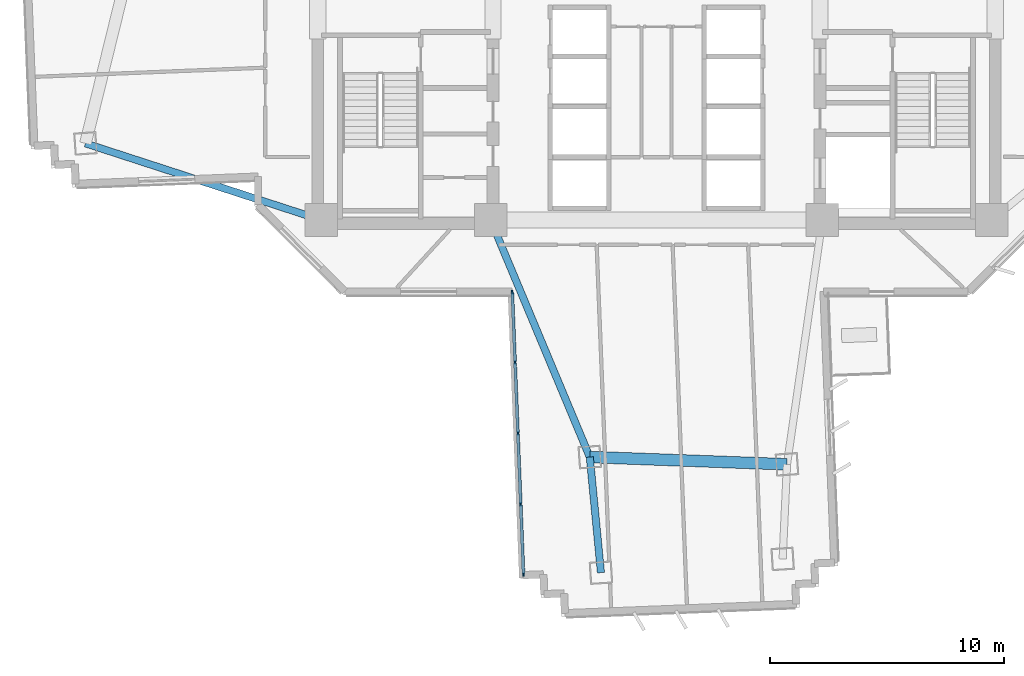
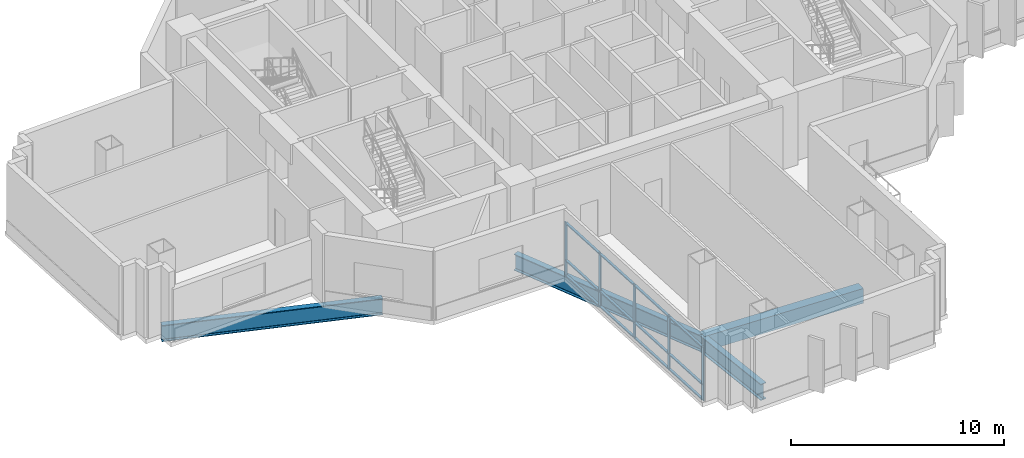
# One storey, part 2 of 16: 17 members, 4 beams, 1 element without a shape of its own.
"""IFC4 building model written with IfcOpenShell, lengths in metres."""

import ifcopenshell
import ifcopenshell.guid

model = None  # the IFC model being written
_history = None  # IfcOwnerHistory: only IFC2X3 demands one
_inside = {}  # id of a spatial element -> (the spatial element, [elements in it])
_under = {}  # id of a project, library or spatial element -> (it, [spatial elements below it])
_declared = {}  # id of a project -> (the project, [libraries it declares])
_typed = {}  # id of a type object -> (the type object, [elements of that type])
_made_of = {}  # id of a material, layer set ... -> (it, [elements and type objects made of it])


def new_model(schema):
    """Start an empty IFC model of exactly this schema.

    Asked for "IFC4X3", IfcOpenShell would pick the latest addendum, in which some entities
    have other attributes; the version numbers below select the first issue.
    IFC2X3 requires an IfcOwnerHistory on every rooted entity: one is made here for all.
    """
    global model, _history
    if schema == "IFC4X3":
        model = ifcopenshell.file(schema_version=(4, 3, 0, 0))
    else:
        model = ifcopenshell.file(schema=schema)
    _inside.clear()
    _under.clear()
    _declared.clear()
    _typed.clear()
    _made_of.clear()
    _history = None
    if model.schema == "IFC2X3":
        org = make("IfcOrganization", Name="unknown")
        user = make(
            "IfcPersonAndOrganization",
            ThePerson=make("IfcPerson", FamilyName="unknown"),
            TheOrganization=org,
        )
        app = make(
            "IfcApplication",
            ApplicationDeveloper=org,
            Version="unknown",
            ApplicationFullName="unknown",
            ApplicationIdentifier="unknown",
        )
        _history = make(
            "IfcOwnerHistory",
            OwningUser=user,
            OwningApplication=app,
            ChangeAction="ADDED",
            CreationDate=0,
        )
    return model


def make(cls, **values):
    """One entity of the class cls with the attributes given. An attribute that is None is left unset."""
    return model.create_entity(
        cls, **{name: value for name, value in values.items() if value is not None}
    )


def rooted(cls, **values):
    """An entity with a GlobalId (a new one), such as an element, a storey or a relation."""
    return make(cls, GlobalId=ifcopenshell.guid.new(), OwnerHistory=_history, **values)


def si_unit(unit_type, name, prefix=None):
    """IfcSIUnit, for example si_unit("LENGTHUNIT", "METRE", prefix="MILLI")."""
    return make("IfcSIUnit", UnitType=unit_type, Prefix=prefix, Name=name)


def assignment(units):
    """IfcUnitAssignment: the units of a project."""
    return None if units is None else make("IfcUnitAssignment", Units=units)


def point(xyz):
    """IfcCartesianPoint."""
    return None if xyz is None else make("IfcCartesianPoint", Coordinates=xyz)


def direction(xyz):
    """IfcDirection."""
    return None if xyz is None else make("IfcDirection", DirectionRatios=xyz)


def frame(location, z_axis=None, x_axis=None):
    """IfcAxis2Placement3D, a coordinate frame: its origin and axes. An axis left out is left unset."""
    return make(
        "IfcAxis2Placement3D",
        Location=point(location),
        Axis=direction(z_axis),
        RefDirection=direction(x_axis),
    )


def frame_2d(location, x_axis=None):
    """IfcAxis2Placement2D, a coordinate frame in the plane: its origin and x axis."""
    return make(
        "IfcAxis2Placement2D", Location=point(location), RefDirection=direction(x_axis)
    )


def origin():
    """The frame at (0, 0, 0) with its axes left unset."""
    return frame((0.0, 0.0, 0.0))


def origin_2d():
    """The frame at (0, 0) in the plane with its x axis left unset."""
    return frame_2d((0.0, 0.0))


def place(relative_to, where):
    """IfcLocalPlacement: puts the frame where relative to a parent placement (None: the world)."""
    return make(
        "IfcLocalPlacement", PlacementRelTo=relative_to, RelativePlacement=where
    )


def context(
    kind, dimensions, precision=None, world=None, true_north=None, identifier=None
):
    """IfcGeometricRepresentationContext, for example the 3D "Model" context."""
    return make(
        "IfcGeometricRepresentationContext",
        ContextIdentifier=identifier,
        ContextType=kind,
        CoordinateSpaceDimension=dimensions,
        Precision=precision,
        WorldCoordinateSystem=world,
        TrueNorth=true_north,
    )


def subcontext(parent, identifier, kind, view, scale=None):
    """IfcGeometricRepresentationSubContext, for example "Body" below "Model"."""
    return make(
        "IfcGeometricRepresentationSubContext",
        ContextIdentifier=identifier,
        ContextType=kind,
        ParentContext=parent,
        TargetScale=scale,
        TargetView=view,
    )


def project(units=None, contexts=None):
    """IfcProject with its units and contexts."""
    return rooted(
        "IfcProject",
        Name="project",
        RepresentationContexts=contexts,
        UnitsInContext=assignment(units),
    )


def spatial(cls, under=None, at=None, **own):
    """A site, building, storey or space (cls), placed at a placement, below another one or the project."""
    s = rooted(cls, ObjectPlacement=at, **own)
    if under is not None:
        _under.setdefault(under.id(), (under, []))[1].append(s)
    return s


def profile(cls, at=None, kind="AREA", **sizes):
    """A parametric profile (cls). Its sizes go by their IFC names, for example OverallWidth=200.0."""
    return make(cls, ProfileType=kind, Position=at, **sizes)


def rectangle(**sizes):
    """IfcRectangleProfileDef."""
    return profile("IfcRectangleProfileDef", **sizes)


def i_section(**sizes):
    """IfcIShapeProfileDef."""
    return profile("IfcIShapeProfileDef", **sizes)


def extrude(swept, where, along, depth):
    """IfcExtrudedAreaSolid: the profile swept, set in the frame where, extruded along a direction by depth."""
    return make(
        "IfcExtrudedAreaSolid",
        SweptArea=swept,
        Position=where,
        ExtrudedDirection=direction(along),
        Depth=depth,
    )


def shape(context_of_items, identifier, shape_type, items):
    """IfcShapeRepresentation: the items that make up one representation, for example the "Body"."""
    return make(
        "IfcShapeRepresentation",
        ContextOfItems=context_of_items,
        RepresentationIdentifier=identifier,
        RepresentationType=shape_type,
        Items=items,
    )


def source(mapping_origin, context_of_items, identifier, shape_type, items):
    """IfcRepresentationMap: a shape defined once, which mapped items show again and again."""
    return make(
        "IfcRepresentationMap",
        MappingOrigin=mapping_origin,
        MappedRepresentation=shape(context_of_items, identifier, shape_type, items),
    )


def transform(
    local_origin,
    x_axis=None,
    y_axis=None,
    z_axis=None,
    scale=None,
    scale2=None,
    scale3=None,
    uniform=True,
):
    """IfcCartesianTransformationOperator3D, or its non-uniform kind. x_axis, y_axis, z_axis: its Axis1, 2, 3."""
    if uniform:
        return make(
            "IfcCartesianTransformationOperator3D",
            Axis1=direction(x_axis),
            Axis2=direction(y_axis),
            LocalOrigin=point(local_origin),
            Scale=scale,
            Axis3=direction(z_axis),
        )
    return make(
        "IfcCartesianTransformationOperator3DnonUniform",
        Axis1=direction(x_axis),
        Axis2=direction(y_axis),
        LocalOrigin=point(local_origin),
        Scale=scale,
        Axis3=direction(z_axis),
        Scale2=scale2,
        Scale3=scale3,
    )


def mapped(mapping_source, mapping_target):
    """IfcMappedItem: shows the shape of a source again, moved by a transform."""
    return make(
        "IfcMappedItem", MappingSource=mapping_source, MappingTarget=mapping_target
    )


def material(Name=None, Category=None):
    """IfcMaterial."""
    return make("IfcMaterial", Name=Name, Category=Category)


def layer(
    of_material, thickness, ventilated=None, Name=None, Category=None, Priority=None
):
    """IfcMaterialLayer: one layer of a wall or slab, of a material (None: an air gap)."""
    return make(
        "IfcMaterialLayer",
        Material=of_material,
        LayerThickness=thickness,
        IsVentilated=ventilated,
        Name=Name,
        Category=Category,
        Priority=Priority,
    )


def layer_set(layers, Name=None):
    """IfcMaterialLayerSet."""
    return make("IfcMaterialLayerSet", MaterialLayers=layers, LayerSetName=Name)


def material_profile(
    of_material, cross_section, Name=None, Category=None, Priority=None
):
    """IfcMaterialProfile: a cross section and its material."""
    return make(
        "IfcMaterialProfile",
        Name=Name,
        Material=of_material,
        Profile=cross_section,
        Priority=Priority,
        Category=Category,
    )


def profile_set(profiles, Name=None, composite=None):
    """IfcMaterialProfileSet."""
    return make(
        "IfcMaterialProfileSet",
        Name=Name,
        MaterialProfiles=profiles,
        CompositeProfile=composite,
    )


def made_of(thing, what):
    """Note that an element or type object is made of a material, layer set ...; save() writes the relation."""
    if what is not None:
        _made_of.setdefault(what.id(), (what, []))[1].append(thing)
    return thing


def type_object(cls, material=None, **own):
    """A type object (cls), such as IfcWallType, which elements share."""
    return made_of(rooted(cls, **own), material)


def element(
    cls,
    number,
    at=None,
    inside=None,
    cuts=None,
    type_object=None,
    material=None,
    context=None,
    identifier="Body",
    shape_type=None,
    held_by="IfcProductDefinitionShape",
    body=None,
    shapes=None,
    **own,
):
    """One element of the class cls, such as IfcWall. Its Tag is "e" and its number.

    at: its placement. inside: the storey or other place that contains it. cuts: it is an
    opening in that element (IfcRelVoidsElement). A single representation is given by context,
    identifier, shape_type and body (its items); several are given by shapes. held_by: the class
    of the entity that holds the representations. save() writes the other relations.
    """
    e = rooted(cls, Tag="e%d" % number, ObjectPlacement=at, **own)
    if body is not None:
        shapes = [shape(context, identifier, shape_type, body)]
    if shapes is not None:
        e.Representation = make(held_by, Representations=shapes)
    if inside is not None:
        _inside.setdefault(inside.id(), (inside, []))[1].append(e)
    if cuts is not None:
        rooted(
            "IfcRelVoidsElement", RelatingBuildingElement=cuts, RelatedOpeningElement=e
        )
    if type_object is not None:
        _typed.setdefault(type_object.id(), (type_object, []))[1].append(e)
    return made_of(e, material)


def aggregate(whole, parts):
    """IfcRelAggregates: a whole, such as a stair, and the parts it consists of."""
    return rooted("IfcRelAggregates", RelatingObject=whole, RelatedObjects=parts)


def save(model, path):
    """Write the relations noted so far, then the file.

    IfcRelAggregates (storeys below a building ...), IfcRelContainedInSpatialStructure (elements
    in a storey), IfcRelDefinesByType, IfcRelAssociatesMaterial and IfcRelDeclares: one each for
    every whole, place, type object, material and project.
    """
    for whole, parts in _under.values():
        aggregate(whole, parts)
    for where, things in _inside.values():
        rooted(
            "IfcRelContainedInSpatialStructure",
            RelatedElements=things,
            RelatingStructure=where,
        )
    for kind, things in _typed.values():
        rooted("IfcRelDefinesByType", RelatedObjects=things, RelatingType=kind)
    for what, things in _made_of.values():
        rooted("IfcRelAssociatesMaterial", RelatedObjects=things, RelatingMaterial=what)
    for by, libraries in _declared.values():
        rooted("IfcRelDeclares", RelatingContext=by, RelatedDefinitions=libraries)
    model.write(path)


model = new_model("IFC4")

# Units and contexts
model_context = context("Model", 3, precision=1e-05, world=origin(), true_north=direction((0.0, 1.0)))
body_context = subcontext(model_context, "Body", "Model", "MODEL_VIEW")
ifc_project = project(units=[si_unit("LENGTHUNIT", "METRE"), si_unit("AREAUNIT", "SQUARE_METRE"), si_unit("VOLUMEUNIT", "CUBIC_METRE"), si_unit("PLANEANGLEUNIT", "RADIAN"), si_unit("MASSUNIT", "GRAM", prefix="KILO")], contexts=[model_context])

# Site, building, storey
site_placement = place(None, origin())
site = spatial("IfcSite", under=ifc_project, at=site_placement, CompositionType="ELEMENT")
building_placement = place(site_placement, origin())
building = spatial("IfcBuilding", under=site, at=building_placement, Name="Zahravan Cultural Tower", CompositionType="ELEMENT")
storey_placement = place(building_placement, frame((0.0, 0.0, 58.5)))
storey = spatial("IfcBuildingStorey", under=building, at=storey_placement, Name="L12", CompositionType="ELEMENT", Elevation=58.5)

# Beams
ifc_material_1 = material(Name="Steel ASTM A992 Grade 50", Category="steel")
ifc_material_profile_1 = material_profile(ifc_material_1, i_section(OverallWidth=0.30908203125, OverallDepth=0.931884765625, WebThickness=0.02099609375, FlangeThickness=0.034423828125, FilletRadius=0.02392578125, at=origin_2d()), Name="W36X210")
ifc_profile_set_1 = profile_set([ifc_material_profile_1], Name="Steel ASTM A992 Grade 50")
beam_type_1 = type_object("IfcBeamType", Name="BM-G-W36X210", PredefinedType="BEAM", material=ifc_profile_set_1)
shared_shape_1 = source(origin(), body_context, "Body", "SweptSolid", [
    extrude(i_section(OverallWidth=0.30908203125, OverallDepth=0.931884765625, WebThickness=0.02099609375, FlangeThickness=0.034423828125, FilletRadius=0.02392578125, at=origin_2d()), origin(), (0.0, 0.0, 1.0), 10.615966796875),
])
beam_1_placement = place(storey_placement, frame((21.64990234375, 17.800048828125, -0.716064453125), z_axis=(-0.951063640083, 0.30899506875, 0.0), x_axis=(-0.30899506875, -0.951063640083, 0.0)))
element("IfcBeam", 1, at=beam_1_placement, inside=storey, type_object=beam_type_1, Name="L12 Beam BG-L12-07", PredefinedType="BEAM", context=body_context, shape_type="MappedRepresentation", body=[
    mapped(shared_shape_1, transform((0.0, 0.0, 0.0), x_axis=(1.0, 0.0, 0.0), y_axis=(0.0, 1.0, 0.0), z_axis=(0.0, 0.0, 1.0), scale=1.0)),
])
shared_shape_2 = source(origin(), body_context, "Body", "SweptSolid", [
    extrude(i_section(OverallWidth=0.30908203125, OverallDepth=0.931884765625, WebThickness=0.02099609375, FlangeThickness=0.034423828125, FilletRadius=0.02392578125, at=origin_2d()), origin(), (0.0, 0.0, 1.0), 10.997802734375),
])
beam_2_placement = place(storey_placement, frame((28.89990234375, 17.800048828125, -0.716064453125), z_axis=(0.385775211449, -0.922592806297, 0.0), x_axis=(0.922592806297, 0.385775211449, 0.0)))
element("IfcBeam", 2, at=beam_2_placement, inside=storey, type_object=beam_type_1, Name="L12 Beam BG-L12-08", PredefinedType="BEAM", context=body_context, shape_type="MappedRepresentation", body=[
    mapped(shared_shape_2, transform((0.0, 0.0, 0.0), x_axis=(1.0, 0.0, 0.0), y_axis=(0.0, 1.0, 0.0), z_axis=(0.0, 0.0, 1.0), scale=1.0)),
])
shared_shape_3 = source(origin(), body_context, "Body", "SweptSolid", [
    extrude(i_section(OverallWidth=0.30908203125, OverallDepth=0.931884765625, WebThickness=0.02099609375, FlangeThickness=0.034423828125, FilletRadius=0.02392578125, at=origin_2d()), origin(), (0.0, 0.0, 1.0), 4.973876953125),
])
beam_3_placement = place(storey_placement, frame((33.142578125, 7.653564453125, -0.716064453125), z_axis=(0.096154779131, -0.995366394073, 0.0), x_axis=(0.995366394073, 0.096154779131, 0.0)))
element("IfcBeam", 3, at=beam_3_placement, inside=storey, type_object=beam_type_1, Name="L12 Beam BG-L12-17", PredefinedType="BEAM", context=body_context, shape_type="MappedRepresentation", body=[
    mapped(shared_shape_3, transform((0.0, 0.0, 0.0), x_axis=(1.0, 0.0, 0.0), y_axis=(0.0, 1.0, 0.0), z_axis=(0.0, 0.0, 1.0), scale=1.0)),
])
ifc_material_2 = material(Name="Concrete C50/60", Category="concrete")
ifc_material_profile_2 = material_profile(ifc_material_2, rectangle(XDim=0.5, YDim=0.85009765625, at=origin_2d()), Name="RC500X850")
ifc_profile_set_2 = profile_set([ifc_material_profile_2], Name="Concrete C50/60")
beam_type_2 = type_object("IfcBeamType", Name="BM-SP-RC500X850", PredefinedType="SPANDREL", material=ifc_profile_set_2)
shared_shape_4 = source(origin(), body_context, "Body", "SweptSolid", [
    extrude(rectangle(XDim=0.5, YDim=0.85009765625, at=origin_2d()), origin(), (0.0, 0.0, 1.0), 8.4482421875),
])
beam_4_placement = place(storey_placement, frame((33.142578125, 7.653564453125, -0.675048828125), z_axis=(0.999318826256, -0.036903705643, 0.0), x_axis=(0.036903705643, 0.999318826256, 0.0)))
element("IfcBeam", 4, at=beam_4_placement, inside=storey, type_object=beam_type_2, Name="L12 Beam SP-L12-19", PredefinedType="SPANDREL", context=body_context, shape_type="MappedRepresentation", body=[
    mapped(shared_shape_4, transform((0.0, 0.0, 0.0), x_axis=(1.0, 0.0, 0.0), y_axis=(0.0, 1.0, 0.0), z_axis=(0.0, 0.0, 1.0), scale=1.0)),
])

# Curtain wall, members
ifc_material_3 = material(Name="Anodised bronze-aluminium mullion", Category="aluminium")
ifc_layer = layer(ifc_material_3, 0.1650390625)
ifc_layer_set = layer_set([ifc_layer], Name="Anodised bronze-aluminium mullion")
curtain_wall_type = type_object("IfcCurtainWallType", Name="CW-SYS-4", PredefinedType="USERDEFINED", material=ifc_layer_set)
curtain_wall_placement = place(storey_placement, origin())
curtain_wall = element("IfcCurtainWall", 5, at=curtain_wall_placement, inside=storey, type_object=curtain_wall_type, Name="L12 Recessed Curtain Wall CW-4.1", ObjectType="RECESSED GLAZING", PredefinedType="USERDEFINED")
ifc_material_profile_3 = material_profile(ifc_material_3, rectangle(XDim=0.06494140625, YDim=0.1650390625, at=origin_2d()), Name="AL-M65X165")
ifc_profile_set_3 = profile_set([ifc_material_profile_3], Name="Anodised bronze-aluminium mullion")
member_type_1 = type_object("IfcMemberType", Name="CWM-CW-4", PredefinedType="MULLION", material=ifc_profile_set_3)
shared_shape_5 = source(origin(), body_context, "Body", "SweptSolid", [
    extrude(rectangle(XDim=0.06494140625, YDim=0.1650390625, at=origin_2d()), origin(), (0.0, 0.0, 1.0), 3.070068359375),
])
member_1_placement = place(storey_placement, frame((30.30517578125, 2.626708984375, 0.0), z_axis=(0.0, 0.0, 1.0), x_axis=(-0.99920827504, -0.039784709273, 0.0)))
member_1 = element("IfcMember", 6, at=member_1_placement, type_object=member_type_1, Name="CW-4 mullion 1", PredefinedType="MULLION", context=body_context, shape_type="MappedRepresentation", body=[
    mapped(shared_shape_5, transform((0.0, 0.0, 0.0), x_axis=(1.0, 0.0, 0.0), y_axis=(0.0, 1.0, 0.0), z_axis=(0.0, 0.0, 1.0), scale=1.0)),
])
member_2_placement = place(storey_placement, frame((30.185546875, 5.630615234375, 0.0), z_axis=(0.0, 0.0, 1.0), x_axis=(-0.99920827504, -0.039784709273, 0.0)))
member_2 = element("IfcMember", 7, at=member_2_placement, type_object=member_type_1, Name="CW-4 mullion 2", PredefinedType="MULLION", context=body_context, shape_type="MappedRepresentation", body=[
    mapped(shared_shape_5, transform((0.0, 0.0, 0.0), x_axis=(1.0, 0.0, 0.0), y_axis=(0.0, 1.0, 0.0), z_axis=(0.0, 0.0, 1.0), scale=1.0)),
])
member_3_placement = place(storey_placement, frame((30.064697265625, 8.6669921875, 0.0), z_axis=(0.0, 0.0, 1.0), x_axis=(-0.99920827504, -0.039784709273, 0.0)))
member_3 = element("IfcMember", 8, at=member_3_placement, type_object=member_type_1, Name="CW-4 mullion 3", PredefinedType="MULLION", context=body_context, shape_type="MappedRepresentation", body=[
    mapped(shared_shape_5, transform((0.0, 0.0, 0.0), x_axis=(1.0, 0.0, 0.0), y_axis=(0.0, 1.0, 0.0), z_axis=(0.0, 0.0, 1.0), scale=1.0)),
])
member_4_placement = place(storey_placement, frame((29.943603515625, 11.70361328125, 0.0), z_axis=(0.0, 0.0, 1.0), x_axis=(-0.99920827504, -0.039784709273, 0.0)))
member_4 = element("IfcMember", 9, at=member_4_placement, type_object=member_type_1, Name="CW-4 mullion 4", PredefinedType="MULLION", context=body_context, shape_type="MappedRepresentation", body=[
    mapped(shared_shape_5, transform((0.0, 0.0, 0.0), x_axis=(1.0, 0.0, 0.0), y_axis=(0.0, 1.0, 0.0), z_axis=(0.0, 0.0, 1.0), scale=1.0)),
])
member_5_placement = place(storey_placement, frame((29.823974609375, 14.70751953125, 0.0), z_axis=(0.0, 0.0, 1.0), x_axis=(-0.99920827504, -0.039784709273, 0.0)))
member_5 = element("IfcMember", 10, at=member_5_placement, type_object=member_type_1, Name="CW-4 mullion 5", PredefinedType="MULLION", context=body_context, shape_type="MappedRepresentation", body=[
    mapped(shared_shape_5, transform((0.0, 0.0, 0.0), x_axis=(1.0, 0.0, 0.0), y_axis=(0.0, 1.0, 0.0), z_axis=(0.0, 0.0, 1.0), scale=1.0)),
])
ifc_material_profile_4 = material_profile(ifc_material_3, rectangle(XDim=0.1298828125, YDim=0.06494140625, at=origin_2d()), Name="AL-T65X130")
ifc_profile_set_4 = profile_set([ifc_material_profile_4], Name="Anodised bronze-aluminium mullion")
member_type_2 = type_object("IfcMemberType", Name="CWT-CW-4", PredefinedType="USERDEFINED", material=ifc_profile_set_4)
shared_shape_6 = source(origin(), body_context, "Body", "SweptSolid", [
    extrude(rectangle(XDim=0.1298828125, YDim=0.06494140625, at=origin_2d()), origin(), (0.0, 0.0, 1.0), 2.94140625),
])
member_6_placement = place(storey_placement, frame((30.3037109375, 2.6591796875, 0.032470703125), z_axis=(-0.039759200041, 0.999209290395, 0.0), x_axis=(-0.999209290395, -0.039759200041, 0.0)))
member_6 = element("IfcMember", 11, at=member_6_placement, type_object=member_type_2, Name="CW-4 transom 1.1", ObjectType="TRANSOM", PredefinedType="USERDEFINED", context=body_context, shape_type="MappedRepresentation", body=[
    mapped(shared_shape_6, transform((0.0, 0.0, 0.0), x_axis=(1.0, 0.0, 0.0), y_axis=(0.0, 1.0, 0.0), z_axis=(0.0, 0.0, 1.0), scale=1.0)),
])
member_7_placement = place(storey_placement, frame((30.3037109375, 2.6591796875, 0.89990234375), z_axis=(-0.039759200041, 0.999209290395, 0.0), x_axis=(-0.999209290395, -0.039759200041, 0.0)))
member_7 = element("IfcMember", 12, at=member_7_placement, type_object=member_type_2, Name="CW-4 transom 1.2", ObjectType="TRANSOM", PredefinedType="USERDEFINED", context=body_context, shape_type="MappedRepresentation", body=[
    mapped(shared_shape_6, transform((0.0, 0.0, 0.0), x_axis=(1.0, 0.0, 0.0), y_axis=(0.0, 1.0, 0.0), z_axis=(0.0, 0.0, 1.0), scale=1.0)),
])
member_8_placement = place(storey_placement, frame((30.3037109375, 2.6591796875, 3.03759765625), z_axis=(-0.039759200041, 0.999209290395, 0.0), x_axis=(-0.999209290395, -0.039759200041, 0.0)))
member_8 = element("IfcMember", 13, at=member_8_placement, type_object=member_type_2, Name="CW-4 transom 1.3", ObjectType="TRANSOM", PredefinedType="USERDEFINED", context=body_context, shape_type="MappedRepresentation", body=[
    mapped(shared_shape_6, transform((0.0, 0.0, 0.0), x_axis=(1.0, 0.0, 0.0), y_axis=(0.0, 1.0, 0.0), z_axis=(0.0, 0.0, 1.0), scale=1.0)),
])
member_9_placement = place(storey_placement, frame((29.9423828125, 11.736083984375, 0.032470703125), z_axis=(-0.039759200041, 0.999209290395, 0.0), x_axis=(-0.999209290395, -0.039759200041, 0.0)))
member_9 = element("IfcMember", 14, at=member_9_placement, type_object=member_type_2, Name="CW-4 transom 4.1", ObjectType="TRANSOM", PredefinedType="USERDEFINED", context=body_context, shape_type="MappedRepresentation", body=[
    mapped(shared_shape_6, transform((0.0, 0.0, 0.0), x_axis=(1.0, 0.0, 0.0), y_axis=(0.0, 1.0, 0.0), z_axis=(0.0, 0.0, 1.0), scale=1.0)),
])
member_10_placement = place(storey_placement, frame((29.9423828125, 11.736083984375, 0.89990234375), z_axis=(-0.039759200041, 0.999209290395, 0.0), x_axis=(-0.999209290395, -0.039759200041, 0.0)))
member_10 = element("IfcMember", 15, at=member_10_placement, type_object=member_type_2, Name="CW-4 transom 4.2", ObjectType="TRANSOM", PredefinedType="USERDEFINED", context=body_context, shape_type="MappedRepresentation", body=[
    mapped(shared_shape_6, transform((0.0, 0.0, 0.0), x_axis=(1.0, 0.0, 0.0), y_axis=(0.0, 1.0, 0.0), z_axis=(0.0, 0.0, 1.0), scale=1.0)),
])
member_11_placement = place(storey_placement, frame((29.9423828125, 11.736083984375, 3.03759765625), z_axis=(-0.039759200041, 0.999209290395, 0.0), x_axis=(-0.999209290395, -0.039759200041, 0.0)))
member_11 = element("IfcMember", 16, at=member_11_placement, type_object=member_type_2, Name="CW-4 transom 4.3", ObjectType="TRANSOM", PredefinedType="USERDEFINED", context=body_context, shape_type="MappedRepresentation", body=[
    mapped(shared_shape_6, transform((0.0, 0.0, 0.0), x_axis=(1.0, 0.0, 0.0), y_axis=(0.0, 1.0, 0.0), z_axis=(0.0, 0.0, 1.0), scale=1.0)),
])
shared_shape_7 = source(origin(), body_context, "Body", "SweptSolid", [
    extrude(rectangle(XDim=0.1298828125, YDim=0.06494140625, at=origin_2d()), origin(), (0.0, 0.0, 1.0), 2.973876953125),
])
member_12_placement = place(storey_placement, frame((30.184326171875, 5.6630859375, 0.032470703125), z_axis=(-0.039817220058, 0.999206980053, 0.0), x_axis=(-0.999206980053, -0.039817220058, 0.0)))
member_12 = element("IfcMember", 17, at=member_12_placement, type_object=member_type_2, Name="CW-4 transom 2.1", ObjectType="TRANSOM", PredefinedType="USERDEFINED", context=body_context, shape_type="MappedRepresentation", body=[
    mapped(shared_shape_7, transform((0.0, 0.0, 0.0), x_axis=(1.0, 0.0, 0.0), y_axis=(0.0, 1.0, 0.0), z_axis=(0.0, 0.0, 1.0), scale=1.0)),
])
member_13_placement = place(storey_placement, frame((30.184326171875, 5.6630859375, 0.89990234375), z_axis=(-0.039817220058, 0.999206980053, 0.0), x_axis=(-0.999206980053, -0.039817220058, 0.0)))
member_13 = element("IfcMember", 18, at=member_13_placement, type_object=member_type_2, Name="CW-4 transom 2.2", ObjectType="TRANSOM", PredefinedType="USERDEFINED", context=body_context, shape_type="MappedRepresentation", body=[
    mapped(shared_shape_7, transform((0.0, 0.0, 0.0), x_axis=(1.0, 0.0, 0.0), y_axis=(0.0, 1.0, 0.0), z_axis=(0.0, 0.0, 1.0), scale=1.0)),
])
member_14_placement = place(storey_placement, frame((30.184326171875, 5.6630859375, 3.03759765625), z_axis=(-0.039817220058, 0.999206980053, 0.0), x_axis=(-0.999206980053, -0.039817220058, 0.0)))
member_14 = element("IfcMember", 19, at=member_14_placement, type_object=member_type_2, Name="CW-4 transom 2.3", ObjectType="TRANSOM", PredefinedType="USERDEFINED", context=body_context, shape_type="MappedRepresentation", body=[
    mapped(shared_shape_7, transform((0.0, 0.0, 0.0), x_axis=(1.0, 0.0, 0.0), y_axis=(0.0, 1.0, 0.0), z_axis=(0.0, 0.0, 1.0), scale=1.0)),
])
shared_shape_8 = source(origin(), body_context, "Body", "SweptSolid", [
    extrude(rectangle(XDim=0.1298828125, YDim=0.06494140625, at=origin_2d()), origin(), (0.0, 0.0, 1.0), 2.97412109375),
])
member_15_placement = place(storey_placement, frame((30.063232421875, 8.699462890625, 0.032470703125), z_axis=(-0.039731993127, 0.999210372605, 0.0), x_axis=(-0.999210372605, -0.039731993127, 0.0)))
member_15 = element("IfcMember", 20, at=member_15_placement, type_object=member_type_2, Name="CW-4 transom 3.1", ObjectType="TRANSOM", PredefinedType="USERDEFINED", context=body_context, shape_type="MappedRepresentation", body=[
    mapped(shared_shape_8, transform((0.0, 0.0, 0.0), x_axis=(1.0, 0.0, 0.0), y_axis=(0.0, 1.0, 0.0), z_axis=(0.0, 0.0, 1.0), scale=1.0)),
])
member_16_placement = place(storey_placement, frame((30.063232421875, 8.699462890625, 0.89990234375), z_axis=(-0.039731993127, 0.999210372605, 0.0), x_axis=(-0.999210372605, -0.039731993127, 0.0)))
member_16 = element("IfcMember", 21, at=member_16_placement, type_object=member_type_2, Name="CW-4 transom 3.2", ObjectType="TRANSOM", PredefinedType="USERDEFINED", context=body_context, shape_type="MappedRepresentation", body=[
    mapped(shared_shape_8, transform((0.0, 0.0, 0.0), x_axis=(1.0, 0.0, 0.0), y_axis=(0.0, 1.0, 0.0), z_axis=(0.0, 0.0, 1.0), scale=1.0)),
])
member_17_placement = place(storey_placement, frame((30.063232421875, 8.699462890625, 3.03759765625), z_axis=(-0.039731993127, 0.999210372605, 0.0), x_axis=(-0.999210372605, -0.039731993127, 0.0)))
member_17 = element("IfcMember", 22, at=member_17_placement, type_object=member_type_2, Name="CW-4 transom 3.3", ObjectType="TRANSOM", PredefinedType="USERDEFINED", context=body_context, shape_type="MappedRepresentation", body=[
    mapped(shared_shape_8, transform((0.0, 0.0, 0.0), x_axis=(1.0, 0.0, 0.0), y_axis=(0.0, 1.0, 0.0), z_axis=(0.0, 0.0, 1.0), scale=1.0)),
])
aggregate(curtain_wall, [member_1, member_2, member_3, member_4, member_5, member_6, member_7, member_8, member_12, member_13, member_14, member_15, member_16, member_17, member_9, member_10, member_11])

save(model, "model.ifc")
